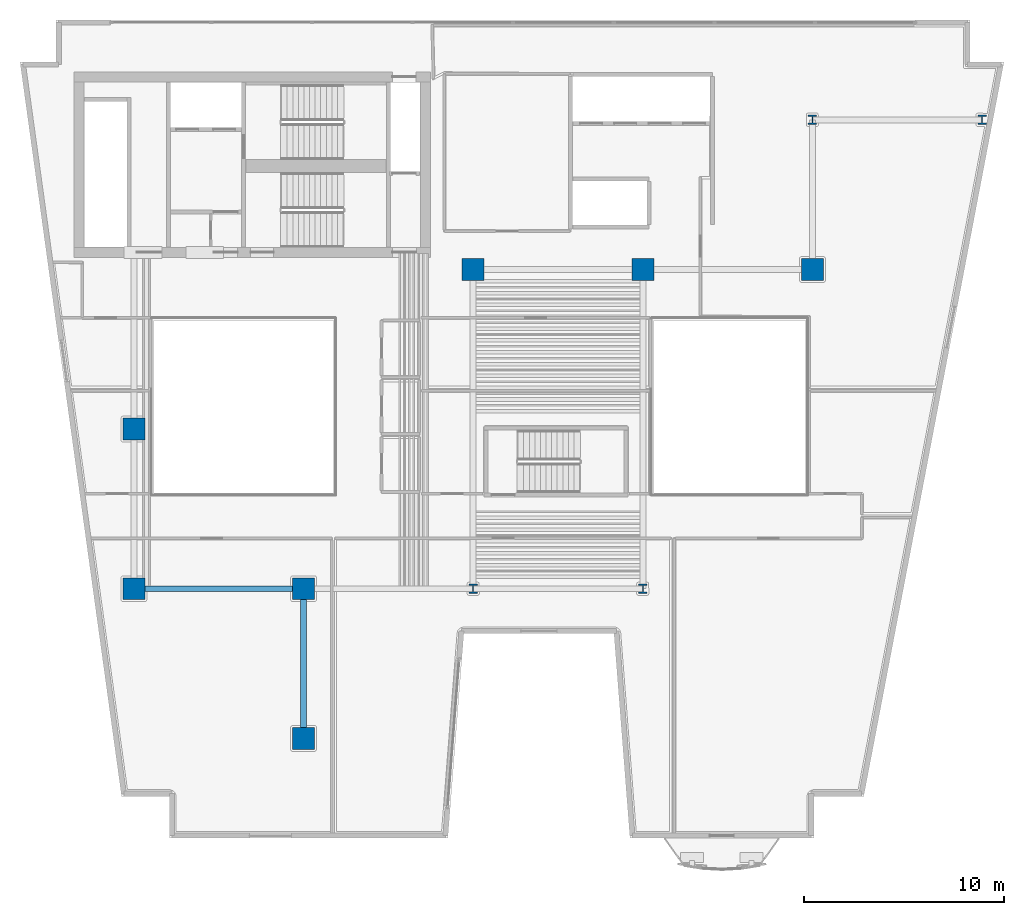
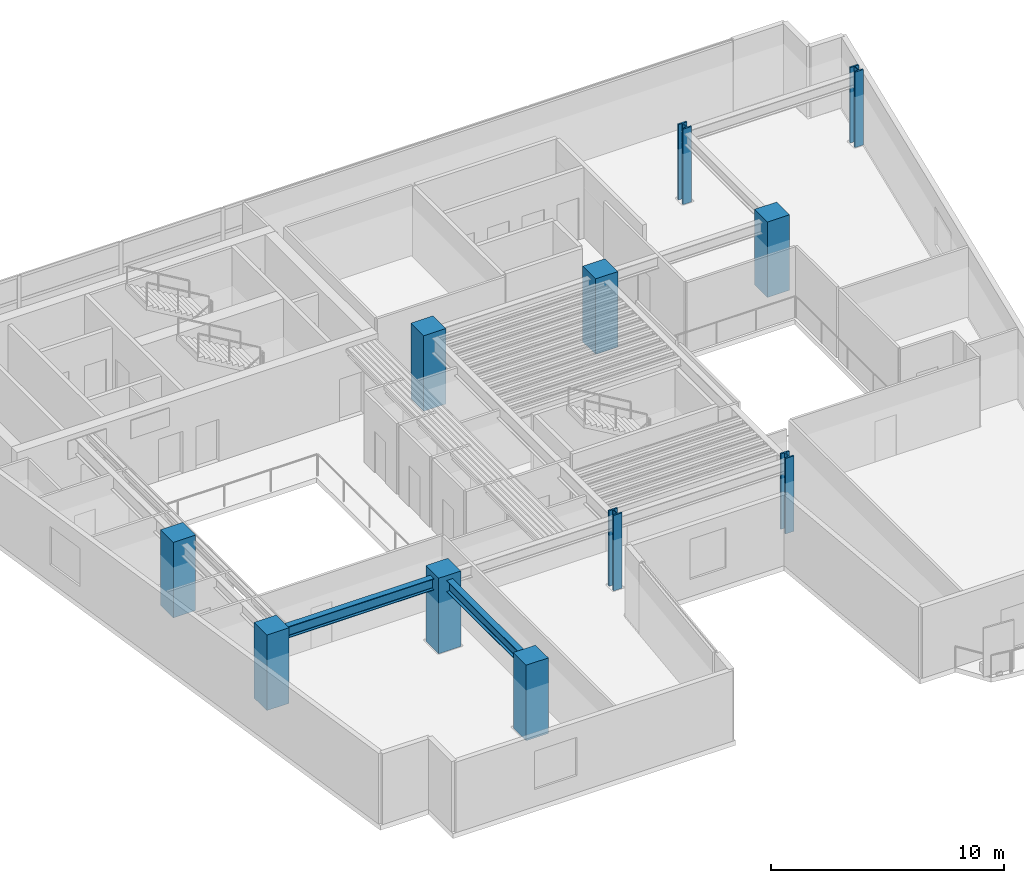
# One storey, part 1 of 13: 11 columns, 2 beams.
"""IFC4 building model written with IfcOpenShell, lengths in metres."""

from ifc_helpers import new_model, si_unit, direction, frame, origin, origin_2d, place, context, subcontext, project, spatial, rectangle, i_section, extrude, material, material_profile, profile_set, type_object, element, save


model = new_model("IFC4")

# Units and contexts
model_context = context("Model", 3, precision=1e-05, world=origin(), true_north=direction((0.0, 1.0)))
body_context = subcontext(model_context, "Body", "Model", "MODEL_VIEW")
ifc_project = project(units=[si_unit("LENGTHUNIT", "METRE"), si_unit("AREAUNIT", "SQUARE_METRE"), si_unit("VOLUMEUNIT", "CUBIC_METRE"), si_unit("PLANEANGLEUNIT", "RADIAN"), si_unit("MASSUNIT", "GRAM", prefix="KILO")], contexts=[model_context])

# Site, building, storey
site_placement = place(None, origin())
site = spatial("IfcSite", under=ifc_project, at=site_placement, CompositionType="ELEMENT")
building_placement = place(site_placement, origin())
building = spatial("IfcBuilding", under=site, at=building_placement, Name="Caeloran Harvest Quay", CompositionType="ELEMENT")
storey_placement = place(building_placement, frame((0.0, 0.0, 143.0)))
storey = spatial("IfcBuildingStorey", under=building, at=storey_placement, Name="L33", CompositionType="ELEMENT", Elevation=143.0)

# Columns
ifc_material_1 = material(Name="Concrete C70/85", Category="concrete")
ifc_material_profile_1 = material_profile(ifc_material_1, rectangle(XDim=1.10009765625, YDim=1.10009765625, at=origin_2d()), Name="RC 1100x1100")
ifc_profile_set_1 = profile_set([ifc_material_profile_1], Name="Concrete C70/85")
column_type_1 = type_object("IfcColumnType", Name="COL-MC-3-RC_1100x1100", PredefinedType="COLUMN", material=ifc_profile_set_1)
for number, where, z_axis, x_axis, name in (
    (1, (8.5, 15.0, 0.0), (0.0, 0.0, 1.0), (1.0, 0.0, 0.0), "L33 Structural Column (8.5, 15.0)"),
    (2, (8.5, 23.0, 0.0), (0.0, 0.0, 1.0), (1.0, 0.0, 0.0), "L33 Structural Column (8.5, 23.0)"),
    (3, (17.0, 7.5, 0.0), (0.0, 0.0, 1.0), (1.0, 0.0, 0.0), "L33 Structural Column (17.0, 7.5)"),
    (4, (17.0, 15.0, 0.0), (0.0, 0.0, 1.0), (1.0, 0.0, 0.0), "L33 Structural Column (17.0, 15.0)"),
    (5, (25.5, 31.0, 0.0), (0.0, 0.0, 1.0), (1.0, 0.0, 0.0), "L33 Structural Column (25.5, 31.0)"),
    (6, (34.0, 31.0, 0.0), (0.0, 0.0, 1.0), (1.0, 0.0, 0.0), "L33 Structural Column (34.0, 31.0)"),
    (7, (42.5, 31.0, 0.0), (0.0, 0.0, 1.0), (1.0, 0.0, 0.0), "L33 Structural Column (42.5, 31.0)"),
):
    element("IfcColumn", number, at=place(storey_placement, frame(where, z_axis=z_axis, x_axis=x_axis)), inside=storey, type_object=column_type_1, Name=name, PredefinedType="COLUMN", context=body_context, shape_type="SweptSolid", body=[
        extrude(rectangle(XDim=1.10009765625, YDim=1.10009765625, at=origin_2d()), origin(), (0.0, 0.0, 1.0), 3.949951171875),
    ])
ifc_material_2 = material(Name="Steel HISTAR 460", Category="steel")
ifc_material_profile_2 = material_profile(ifc_material_2, i_section(OverallWidth=0.424072265625, OverallDepth=0.47412109375, WebThickness=0.047607421875, FlangeThickness=0.076904296875, FilletRadius=0.014892578125, at=origin_2d()), Name="HD 400x634")
ifc_profile_set_2 = profile_set([ifc_material_profile_2], Name="Steel HISTAR 460")
column_type_2 = type_object("IfcColumnType", Name="COL-SC-3-HD_400x634", PredefinedType="COLUMN", material=ifc_profile_set_2)
for number, where, z_axis, x_axis, name in (
    (8, (25.5, 15.0, 0.0), (0.0, 0.0, 1.0), (1.0, 0.0, 0.0), "L33 Structural Column (25.5, 15.0)"),
    (9, (34.0, 15.0, 0.0), (0.0, 0.0, 1.0), (1.0, 0.0, 0.0), "L33 Structural Column (34.0, 15.0)"),
    (10, (42.5, 38.5, 0.0), (0.0, 0.0, 1.0), (1.0, 0.0, 0.0), "L33 Structural Column (42.5, 38.5)"),
    (11, (51.0, 38.5, 0.0), (0.0, 0.0, 1.0), (1.0, 0.0, 0.0), "L33 Structural Column (51.0, 38.5)"),
):
    element("IfcColumn", number, at=place(storey_placement, frame(where, z_axis=z_axis, x_axis=x_axis)), inside=storey, type_object=column_type_2, Name=name, PredefinedType="COLUMN", context=body_context, shape_type="SweptSolid", body=[
        extrude(i_section(OverallWidth=0.424072265625, OverallDepth=0.47412109375, WebThickness=0.047607421875, FlangeThickness=0.076904296875, FilletRadius=0.014892578125, at=origin_2d()), origin(), (0.0, 0.0, 1.0), 3.949951171875),
    ])

# Beams
ifc_material_3 = material(Name="Steel S355J2", Category="steel")
ifc_material_profile_3 = material_profile(ifc_material_3, i_section(OverallWidth=0.300048828125, OverallDepth=0.60009765625, WebThickness=0.015380859375, FlangeThickness=0.030029296875, FilletRadius=0.027099609375, at=origin_2d()), Name="HE 600 B")
ifc_profile_set_3 = profile_set([ifc_material_profile_3], Name="Steel S355J2")
beam_type = type_object("IfcBeamType", Name="BM-PG-3-HE_600_B", PredefinedType="BEAM", material=ifc_profile_set_3)
beam_1_placement = place(storey_placement, frame((8.5, 15.0, 3.389892578125), z_axis=(1.0, 0.0, 0.0), x_axis=(0.0, 1.0, 0.0)))
element("IfcBeam", 12, at=beam_1_placement, inside=storey, type_object=beam_type, Name="L33 Primary East-West Girder Y=15.0", PredefinedType="BEAM", context=body_context, shape_type="SweptSolid", body=[
    extrude(i_section(OverallWidth=0.300048828125, OverallDepth=0.60009765625, WebThickness=0.015380859375, FlangeThickness=0.030029296875, FilletRadius=0.027099609375, at=origin_2d()), origin(), (0.0, 0.0, 1.0), 8.5),
])
beam_2_placement = place(storey_placement, frame((17.0, 7.5, 3.389892578125), z_axis=(0.0, 1.0, 0.0), x_axis=(-1.0, 0.0, 0.0)))
element("IfcBeam", 13, at=beam_2_placement, inside=storey, type_object=beam_type, Name="L33 Primary North-South Girder X=17.0", PredefinedType="BEAM", context=body_context, shape_type="SweptSolid", body=[
    extrude(i_section(OverallWidth=0.300048828125, OverallDepth=0.60009765625, WebThickness=0.015380859375, FlangeThickness=0.030029296875, FilletRadius=0.027099609375, at=origin_2d()), origin(), (0.0, 0.0, 1.0), 7.5),
])

save(model, "model.ifc")
